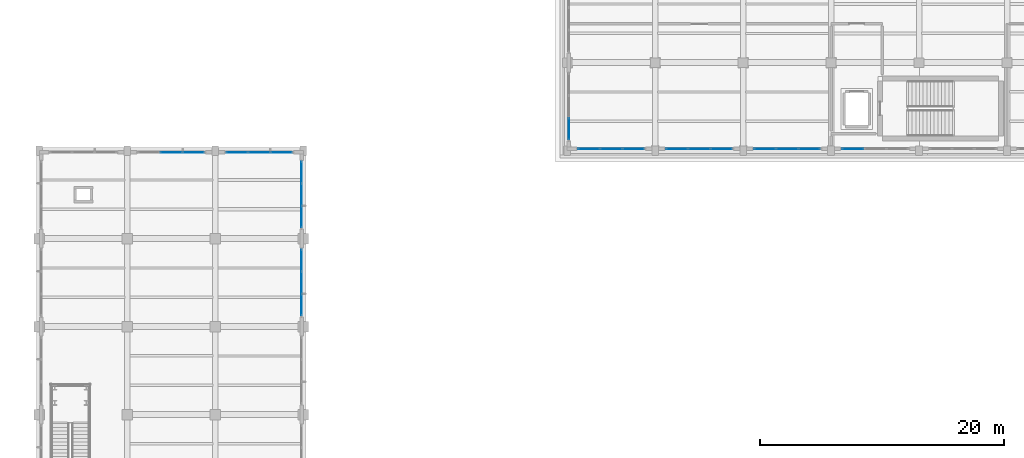
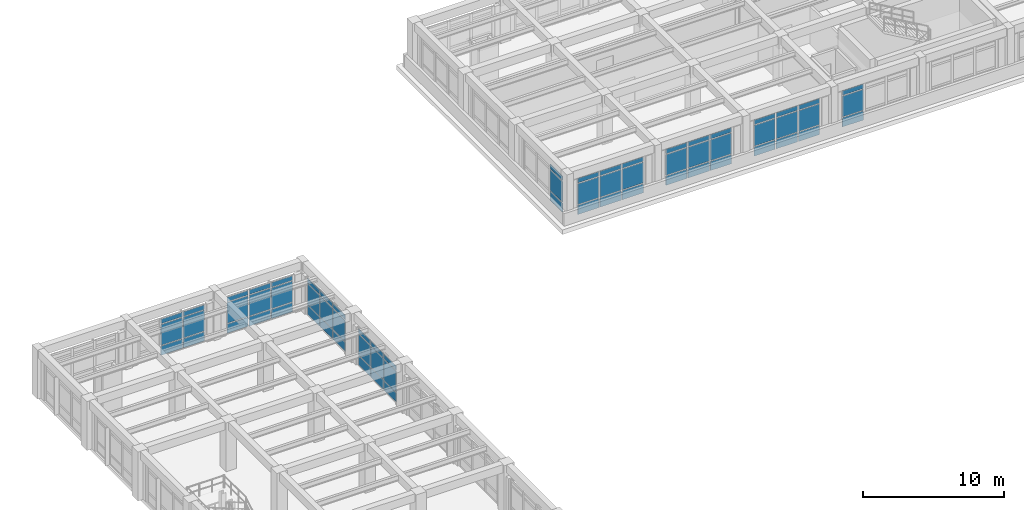
# One storey, part 72 of 98: 66 plates, 9 elements without a shape of their own.
"""IFC4 building model written with IfcOpenShell, lengths in metres."""

from ifc_helpers import new_model, si_unit, direction, frame, origin, origin_2d, place, context, subcontext, project, spatial, rectangle, extrude, material, layer, layer_set, type_object, element, aggregate, save


model = new_model("IFC4")

# Units and contexts
model_context = context("Model", 3, precision=1e-05, world=origin(), true_north=direction((0.0, 1.0)))
body_context = subcontext(model_context, "Body", "Model", "MODEL_VIEW")
ifc_project = project(units=[si_unit("LENGTHUNIT", "METRE"), si_unit("AREAUNIT", "SQUARE_METRE"), si_unit("VOLUMEUNIT", "CUBIC_METRE"), si_unit("PLANEANGLEUNIT", "RADIAN"), si_unit("MASSUNIT", "GRAM", prefix="KILO")], contexts=[model_context])

# Site, building, storey
site_placement = place(None, origin())
site = spatial("IfcSite", under=ifc_project, at=site_placement, CompositionType="ELEMENT")
building_placement = place(site_placement, origin())
building = spatial("IfcBuilding", under=site, at=building_placement, Name="Solenvale Faculty of Natural Sciences", CompositionType="ELEMENT")
storey_placement = place(building_placement, frame((0.0, 0.0, 9.0)))
storey = spatial("IfcBuildingStorey", under=building, at=storey_placement, Name="L02", CompositionType="ELEMENT", Elevation=9.0)

# Curtain wall, plates
ifc_material_1 = material(Name="Anodised bronze aluminium", Category="aluminium")
ifc_layer_1 = layer(ifc_material_1, 0.215087890625)
ifc_layer_set_1 = layer_set([ifc_layer_1], Name="Anodised bronze aluminium")
curtain_wall_type_1 = type_object("IfcCurtainWallType", Name="CW-ATR-UNIT", PredefinedType="USERDEFINED", material=ifc_layer_set_1)
curtain_wall_1_placement = place(storey_placement, origin())
curtain_wall_1 = element("IfcCurtainWall", 1, at=curtain_wall_1_placement, inside=storey, type_object=curtain_wall_type_1, Name="L02 Curtain Wall CW-L02-P1-E7-B6", ObjectType="UNITISED CURTAIN WALL", PredefinedType="USERDEFINED")
ifc_material_2 = material(Name="North-light skylight glass", Category="glass")
ifc_layer_2 = layer(ifc_material_2, 0.028076171875)
ifc_layer_set_2 = layer_set([ifc_layer_2], Name="North-light skylight glass")
plate_type_1 = type_object("IfcPlateType", Name="CWP-PNL-28", PredefinedType="CURTAIN_PANEL", material=ifc_layer_set_2)
plate_1_placement = place(storey_placement, frame((57.45751953125, 80.9853515625, 0.074951171875), z_axis=(0.0, 0.0, 1.0), x_axis=(0.0, 1.0, 0.0)))
plate_1 = element("IfcPlate", 2, at=plate_1_placement, type_object=plate_type_1, Name="CW-01 panel 1.1", PredefinedType="CURTAIN_PANEL", context=body_context, shape_type="SweptSolid", body=[
    extrude(rectangle(XDim=1.720947265625, YDim=0.028076171875, at=origin_2d()), origin(), (0.0, 0.0, 1.0), 0.78759765625),
])
plate_2_placement = place(storey_placement, frame((57.45751953125, 80.9853515625, 0.9375), z_axis=(0.0, 0.0, 1.0), x_axis=(0.0, 1.0, 0.0)))
plate_2 = element("IfcPlate", 3, at=plate_2_placement, type_object=plate_type_1, Name="CW-01 panel 1.2", PredefinedType="CURTAIN_PANEL", context=body_context, shape_type="SweptSolid", body=[
    extrude(rectangle(XDim=1.720947265625, YDim=0.028076171875, at=origin_2d()), origin(), (0.0, 0.0, 1.0), 1.784912109375),
])
plate_3_placement = place(storey_placement, frame((57.45751953125, 80.9853515625, 2.79736328125), z_axis=(0.0, 0.0, 1.0), x_axis=(0.0, 1.0, 0.0)))
plate_3 = element("IfcPlate", 4, at=plate_3_placement, type_object=plate_type_1, Name="CW-01 panel 1.3", PredefinedType="CURTAIN_PANEL", context=body_context, shape_type="SweptSolid", body=[
    extrude(rectangle(XDim=1.720947265625, YDim=0.028076171875, at=origin_2d()), origin(), (0.0, 0.0, 1.0), 0.387451171875),
])
plate_4_placement = place(storey_placement, frame((57.45751953125, 82.800048828125, 0.074951171875), z_axis=(0.0, 0.0, 1.0), x_axis=(0.0, 1.0, 0.0)))
plate_4 = element("IfcPlate", 5, at=plate_4_placement, type_object=plate_type_1, Name="CW-01 panel 2.1", PredefinedType="CURTAIN_PANEL", context=body_context, shape_type="SweptSolid", body=[
    extrude(rectangle(XDim=1.75830078125, YDim=0.028076171875, at=origin_2d()), origin(), (0.0, 0.0, 1.0), 0.78759765625),
])
plate_5_placement = place(storey_placement, frame((57.45751953125, 82.800048828125, 0.9375), z_axis=(0.0, 0.0, 1.0), x_axis=(0.0, 1.0, 0.0)))
plate_5 = element("IfcPlate", 6, at=plate_5_placement, type_object=plate_type_1, Name="CW-01 panel 2.2", PredefinedType="CURTAIN_PANEL", context=body_context, shape_type="SweptSolid", body=[
    extrude(rectangle(XDim=1.75830078125, YDim=0.028076171875, at=origin_2d()), origin(), (0.0, 0.0, 1.0), 1.784912109375),
])
plate_6_placement = place(storey_placement, frame((57.45751953125, 82.800048828125, 2.79736328125), z_axis=(0.0, 0.0, 1.0), x_axis=(0.0, 1.0, 0.0)))
plate_6 = element("IfcPlate", 7, at=plate_6_placement, type_object=plate_type_1, Name="CW-01 panel 2.3", PredefinedType="CURTAIN_PANEL", context=body_context, shape_type="SweptSolid", body=[
    extrude(rectangle(XDim=1.75830078125, YDim=0.028076171875, at=origin_2d()), origin(), (0.0, 0.0, 1.0), 0.387451171875),
])
plate_7_placement = place(storey_placement, frame((57.45751953125, 84.614501953125, 0.074951171875), z_axis=(0.0, 0.0, 1.0), x_axis=(0.0, 1.0, 0.0)))
plate_7 = element("IfcPlate", 8, at=plate_7_placement, type_object=plate_type_1, Name="CW-01 panel 3.1", PredefinedType="CURTAIN_PANEL", context=body_context, shape_type="SweptSolid", body=[
    extrude(rectangle(XDim=1.720947265625, YDim=0.028076171875, at=origin_2d()), origin(), (0.0, 0.0, 1.0), 0.78759765625),
])
plate_8_placement = place(storey_placement, frame((57.45751953125, 84.614501953125, 0.9375), z_axis=(0.0, 0.0, 1.0), x_axis=(0.0, 1.0, 0.0)))
plate_8 = element("IfcPlate", 9, at=plate_8_placement, type_object=plate_type_1, Name="CW-01 panel 3.2", PredefinedType="CURTAIN_PANEL", context=body_context, shape_type="SweptSolid", body=[
    extrude(rectangle(XDim=1.720947265625, YDim=0.028076171875, at=origin_2d()), origin(), (0.0, 0.0, 1.0), 1.784912109375),
])
plate_9_placement = place(storey_placement, frame((57.45751953125, 84.614501953125, 2.79736328125), z_axis=(0.0, 0.0, 1.0), x_axis=(0.0, 1.0, 0.0)))
plate_9 = element("IfcPlate", 10, at=plate_9_placement, type_object=plate_type_1, Name="CW-01 panel 3.3", PredefinedType="CURTAIN_PANEL", context=body_context, shape_type="SweptSolid", body=[
    extrude(rectangle(XDim=1.720947265625, YDim=0.028076171875, at=origin_2d()), origin(), (0.0, 0.0, 1.0), 0.387451171875),
])
aggregate(curtain_wall_1, [plate_1, plate_2, plate_3, plate_4, plate_5, plate_6, plate_7, plate_8, plate_9])

curtain_wall_2_placement = place(storey_placement, origin())
curtain_wall_2 = element("IfcCurtainWall", 11, at=curtain_wall_2_placement, inside=storey, type_object=curtain_wall_type_1, Name="L02 Curtain Wall CW-L02-P1-E7-B7", ObjectType="UNITISED CURTAIN WALL", PredefinedType="USERDEFINED")
ifc_material_3 = material(Name="Triple low-E insulated glass", Category="glass")
ifc_layer_3 = layer(ifc_material_3, 0.031982421875)
ifc_layer_set_3 = layer_set([ifc_layer_3], Name="Triple low-E insulated glass")
plate_type_2 = type_object("IfcPlateType", Name="CWP-PNL-32", PredefinedType="CURTAIN_PANEL", material=ifc_layer_set_3)
plate_10_placement = place(storey_placement, frame((57.45751953125, 88.185302734375, 0.074951171875), z_axis=(0.0, 0.0, 1.0), x_axis=(0.0, 1.0, 0.0)))
plate_10 = element("IfcPlate", 12, at=plate_10_placement, type_object=plate_type_2, Name="CW-01 panel 1.1", PredefinedType="CURTAIN_PANEL", context=body_context, shape_type="SweptSolid", body=[
    extrude(rectangle(XDim=1.720947265625, YDim=0.031982421875, at=origin_2d()), origin(), (0.0, 0.0, 1.0), 0.78759765625),
])
plate_11_placement = place(storey_placement, frame((57.45751953125, 88.185302734375, 0.9375), z_axis=(0.0, 0.0, 1.0), x_axis=(0.0, 1.0, 0.0)))
plate_11 = element("IfcPlate", 13, at=plate_11_placement, type_object=plate_type_2, Name="CW-01 panel 1.2", PredefinedType="CURTAIN_PANEL", context=body_context, shape_type="SweptSolid", body=[
    extrude(rectangle(XDim=1.720947265625, YDim=0.031982421875, at=origin_2d()), origin(), (0.0, 0.0, 1.0), 1.784912109375),
])
plate_12_placement = place(storey_placement, frame((57.45751953125, 88.185302734375, 2.79736328125), z_axis=(0.0, 0.0, 1.0), x_axis=(0.0, 1.0, 0.0)))
plate_12 = element("IfcPlate", 14, at=plate_12_placement, type_object=plate_type_2, Name="CW-01 panel 1.3", PredefinedType="CURTAIN_PANEL", context=body_context, shape_type="SweptSolid", body=[
    extrude(rectangle(XDim=1.720947265625, YDim=0.031982421875, at=origin_2d()), origin(), (0.0, 0.0, 1.0), 0.387451171875),
])
plate_13_placement = place(storey_placement, frame((57.45751953125, 90.0, 0.074951171875), z_axis=(0.0, 0.0, 1.0), x_axis=(0.0, 1.0, 0.0)))
plate_13 = element("IfcPlate", 15, at=plate_13_placement, type_object=plate_type_2, Name="CW-01 panel 2.1", PredefinedType="CURTAIN_PANEL", context=body_context, shape_type="SweptSolid", body=[
    extrude(rectangle(XDim=1.75830078125, YDim=0.031982421875, at=origin_2d()), origin(), (0.0, 0.0, 1.0), 0.78759765625),
])
plate_14_placement = place(storey_placement, frame((57.45751953125, 90.0, 0.9375), z_axis=(0.0, 0.0, 1.0), x_axis=(0.0, 1.0, 0.0)))
plate_14 = element("IfcPlate", 16, at=plate_14_placement, type_object=plate_type_2, Name="CW-01 panel 2.2", PredefinedType="CURTAIN_PANEL", context=body_context, shape_type="SweptSolid", body=[
    extrude(rectangle(XDim=1.75830078125, YDim=0.031982421875, at=origin_2d()), origin(), (0.0, 0.0, 1.0), 1.784912109375),
])
plate_15_placement = place(storey_placement, frame((57.45751953125, 90.0, 2.79736328125), z_axis=(0.0, 0.0, 1.0), x_axis=(0.0, 1.0, 0.0)))
plate_15 = element("IfcPlate", 17, at=plate_15_placement, type_object=plate_type_2, Name="CW-01 panel 2.3", PredefinedType="CURTAIN_PANEL", context=body_context, shape_type="SweptSolid", body=[
    extrude(rectangle(XDim=1.75830078125, YDim=0.031982421875, at=origin_2d()), origin(), (0.0, 0.0, 1.0), 0.387451171875),
])
plate_16_placement = place(storey_placement, frame((57.45751953125, 91.814697265625, 0.074951171875), z_axis=(0.0, 0.0, 1.0), x_axis=(0.0, 1.0, 0.0)))
plate_16 = element("IfcPlate", 18, at=plate_16_placement, type_object=plate_type_2, Name="CW-01 panel 3.1", PredefinedType="CURTAIN_PANEL", context=body_context, shape_type="SweptSolid", body=[
    extrude(rectangle(XDim=1.720947265625, YDim=0.031982421875, at=origin_2d()), origin(), (0.0, 0.0, 1.0), 0.78759765625),
])
plate_17_placement = place(storey_placement, frame((57.45751953125, 91.814697265625, 0.9375), z_axis=(0.0, 0.0, 1.0), x_axis=(0.0, 1.0, 0.0)))
plate_17 = element("IfcPlate", 19, at=plate_17_placement, type_object=plate_type_2, Name="CW-01 panel 3.2", PredefinedType="CURTAIN_PANEL", context=body_context, shape_type="SweptSolid", body=[
    extrude(rectangle(XDim=1.720947265625, YDim=0.031982421875, at=origin_2d()), origin(), (0.0, 0.0, 1.0), 1.784912109375),
])
plate_18_placement = place(storey_placement, frame((57.45751953125, 91.814697265625, 2.79736328125), z_axis=(0.0, 0.0, 1.0), x_axis=(0.0, 1.0, 0.0)))
plate_18 = element("IfcPlate", 20, at=plate_18_placement, type_object=plate_type_2, Name="CW-01 panel 3.3", PredefinedType="CURTAIN_PANEL", context=body_context, shape_type="SweptSolid", body=[
    extrude(rectangle(XDim=1.720947265625, YDim=0.031982421875, at=origin_2d()), origin(), (0.0, 0.0, 1.0), 0.387451171875),
])
aggregate(curtain_wall_2, [plate_10, plate_11, plate_12, plate_13, plate_14, plate_15, plate_16, plate_17, plate_18])

ifc_layer_4 = layer(ifc_material_1, 0.179931640625)
ifc_layer_set_4 = layer_set([ifc_layer_4], Name="Anodised bronze aluminium")
curtain_wall_type_2 = type_object("IfcCurtainWallType", Name="CW-TWR-MOD", PredefinedType="USERDEFINED", material=ifc_layer_set_4)
curtain_wall_3_placement = place(storey_placement, origin())
curtain_wall_3 = element("IfcCurtainWall", 21, at=curtain_wall_3_placement, inside=storey, type_object=curtain_wall_type_2, Name="L02 Curtain Wall CW-L02-P2-E6-B1", ObjectType="UNITISED CURTAIN WALL", PredefinedType="USERDEFINED")
ifc_layer_5 = layer(ifc_material_3, 0.035888671875)
ifc_layer_set_5 = layer_set([ifc_layer_5], Name="Triple low-E insulated glass")
plate_type_3 = type_object("IfcPlateType", Name="CWP-PNL-36", PredefinedType="CURTAIN_PANEL", material=ifc_layer_set_5)
plate_19_placement = place(storey_placement, frame((80.9853515625, 93.742431640625, 0.074951171875), z_axis=(0.0, 0.0, 1.0), x_axis=(1.0, 0.0, 0.0)))
plate_19 = element("IfcPlate", 22, at=plate_19_placement, type_object=plate_type_3, Name="CW-04 panel 1.1", PredefinedType="CURTAIN_PANEL", context=body_context, shape_type="SweptSolid", body=[
    extrude(rectangle(XDim=1.720947265625, YDim=0.035888671875, at=origin_2d()), origin(), (0.0, 0.0, 1.0), 0.78759765625),
])
plate_20_placement = place(storey_placement, frame((80.9853515625, 93.742431640625, 0.9375), z_axis=(0.0, 0.0, 1.0), x_axis=(1.0, 0.0, 0.0)))
plate_20 = element("IfcPlate", 23, at=plate_20_placement, type_object=plate_type_3, Name="CW-04 panel 1.2", PredefinedType="CURTAIN_PANEL", context=body_context, shape_type="SweptSolid", body=[
    extrude(rectangle(XDim=1.720947265625, YDim=0.035888671875, at=origin_2d()), origin(), (0.0, 0.0, 1.0), 1.784912109375),
])
plate_21_placement = place(storey_placement, frame((80.9853515625, 93.742431640625, 2.79736328125), z_axis=(0.0, 0.0, 1.0), x_axis=(1.0, 0.0, 0.0)))
plate_21 = element("IfcPlate", 24, at=plate_21_placement, type_object=plate_type_3, Name="CW-04 panel 1.3", PredefinedType="CURTAIN_PANEL", context=body_context, shape_type="SweptSolid", body=[
    extrude(rectangle(XDim=1.720947265625, YDim=0.035888671875, at=origin_2d()), origin(), (0.0, 0.0, 1.0), 0.387451171875),
])
plate_22_placement = place(storey_placement, frame((82.800048828125, 93.742431640625, 0.074951171875), z_axis=(0.0, 0.0, 1.0), x_axis=(1.0, 0.0, 0.0)))
plate_22 = element("IfcPlate", 25, at=plate_22_placement, type_object=plate_type_3, Name="CW-04 panel 2.1", PredefinedType="CURTAIN_PANEL", context=body_context, shape_type="SweptSolid", body=[
    extrude(rectangle(XDim=1.75830078125, YDim=0.035888671875, at=origin_2d()), origin(), (0.0, 0.0, 1.0), 0.78759765625),
])
plate_23_placement = place(storey_placement, frame((82.800048828125, 93.742431640625, 0.9375), z_axis=(0.0, 0.0, 1.0), x_axis=(1.0, 0.0, 0.0)))
plate_23 = element("IfcPlate", 26, at=plate_23_placement, type_object=plate_type_3, Name="CW-04 panel 2.2", PredefinedType="CURTAIN_PANEL", context=body_context, shape_type="SweptSolid", body=[
    extrude(rectangle(XDim=1.75830078125, YDim=0.035888671875, at=origin_2d()), origin(), (0.0, 0.0, 1.0), 1.784912109375),
])
plate_24_placement = place(storey_placement, frame((82.800048828125, 93.742431640625, 2.79736328125), z_axis=(0.0, 0.0, 1.0), x_axis=(1.0, 0.0, 0.0)))
plate_24 = element("IfcPlate", 27, at=plate_24_placement, type_object=plate_type_3, Name="CW-04 panel 2.3", PredefinedType="CURTAIN_PANEL", context=body_context, shape_type="SweptSolid", body=[
    extrude(rectangle(XDim=1.75830078125, YDim=0.035888671875, at=origin_2d()), origin(), (0.0, 0.0, 1.0), 0.387451171875),
])
plate_25_placement = place(storey_placement, frame((84.614501953125, 93.742431640625, 0.074951171875), z_axis=(0.0, 0.0, 1.0), x_axis=(1.0, 0.0, 0.0)))
plate_25 = element("IfcPlate", 28, at=plate_25_placement, type_object=plate_type_3, Name="CW-04 panel 3.1", PredefinedType="CURTAIN_PANEL", context=body_context, shape_type="SweptSolid", body=[
    extrude(rectangle(XDim=1.720947265625, YDim=0.035888671875, at=origin_2d()), origin(), (0.0, 0.0, 1.0), 0.78759765625),
])
plate_26_placement = place(storey_placement, frame((84.614501953125, 93.742431640625, 0.9375), z_axis=(0.0, 0.0, 1.0), x_axis=(1.0, 0.0, 0.0)))
plate_26 = element("IfcPlate", 29, at=plate_26_placement, type_object=plate_type_3, Name="CW-04 panel 3.2", PredefinedType="CURTAIN_PANEL", context=body_context, shape_type="SweptSolid", body=[
    extrude(rectangle(XDim=1.720947265625, YDim=0.035888671875, at=origin_2d()), origin(), (0.0, 0.0, 1.0), 1.784912109375),
])
plate_27_placement = place(storey_placement, frame((84.614501953125, 93.742431640625, 2.79736328125), z_axis=(0.0, 0.0, 1.0), x_axis=(1.0, 0.0, 0.0)))
plate_27 = element("IfcPlate", 30, at=plate_27_placement, type_object=plate_type_3, Name="CW-04 panel 3.3", PredefinedType="CURTAIN_PANEL", context=body_context, shape_type="SweptSolid", body=[
    extrude(rectangle(XDim=1.720947265625, YDim=0.035888671875, at=origin_2d()), origin(), (0.0, 0.0, 1.0), 0.387451171875),
])
aggregate(curtain_wall_3, [plate_19, plate_20, plate_21, plate_22, plate_23, plate_24, plate_25, plate_26, plate_27])

curtain_wall_4_placement = place(storey_placement, origin())
curtain_wall_4 = element("IfcCurtainWall", 31, at=curtain_wall_4_placement, inside=storey, type_object=curtain_wall_type_2, Name="L02 Curtain Wall CW-L02-P2-E5-B3", ObjectType="UNITISED CURTAIN WALL", PredefinedType="USERDEFINED")
ifc_layer_6 = layer(ifc_material_3, 0.0400390625)
ifc_layer_set_6 = layer_set([ifc_layer_6], Name="Triple low-E insulated glass")
plate_type_4 = type_object("IfcPlateType", Name="CWP-PNL-40", PredefinedType="CURTAIN_PANEL", material=ifc_layer_set_6)
plate_28_placement = place(storey_placement, frame((79.342529296875, 95.385498046875, 0.074951171875), z_axis=(0.0, 0.0, 1.0), x_axis=(0.0, -1.0, 0.0)))
plate_28 = element("IfcPlate", 32, at=plate_28_placement, type_object=plate_type_4, Name="CW-04 panel 3.1", PredefinedType="CURTAIN_PANEL", context=body_context, shape_type="SweptSolid", body=[
    extrude(rectangle(XDim=1.720947265625, YDim=0.0400390625, at=origin_2d()), origin(), (0.0, 0.0, 1.0), 0.78759765625),
])
plate_29_placement = place(storey_placement, frame((79.342529296875, 95.385498046875, 0.9375), z_axis=(0.0, 0.0, 1.0), x_axis=(0.0, -1.0, 0.0)))
plate_29 = element("IfcPlate", 33, at=plate_29_placement, type_object=plate_type_4, Name="CW-04 panel 3.2", PredefinedType="CURTAIN_PANEL", context=body_context, shape_type="SweptSolid", body=[
    extrude(rectangle(XDim=1.720947265625, YDim=0.0400390625, at=origin_2d()), origin(), (0.0, 0.0, 1.0), 1.784912109375),
])
plate_30_placement = place(storey_placement, frame((79.342529296875, 95.385498046875, 2.79736328125), z_axis=(0.0, 0.0, 1.0), x_axis=(0.0, -1.0, 0.0)))
plate_30 = element("IfcPlate", 34, at=plate_30_placement, type_object=plate_type_4, Name="CW-04 panel 3.3", PredefinedType="CURTAIN_PANEL", context=body_context, shape_type="SweptSolid", body=[
    extrude(rectangle(XDim=1.720947265625, YDim=0.0400390625, at=origin_2d()), origin(), (0.0, 0.0, 1.0), 0.387451171875),
])
aggregate(curtain_wall_4, [plate_28, plate_29, plate_30])

curtain_wall_5_placement = place(storey_placement, origin())
curtain_wall_5 = element("IfcCurtainWall", 35, at=curtain_wall_5_placement, inside=storey, type_object=curtain_wall_type_2, Name="L02 Curtain Wall CW-L02-P2-E6-B2", ObjectType="UNITISED CURTAIN WALL", PredefinedType="USERDEFINED")
plate_31_placement = place(storey_placement, frame((88.185302734375, 93.742431640625, 0.074951171875), z_axis=(0.0, 0.0, 1.0), x_axis=(1.0, 0.0, 0.0)))
plate_31 = element("IfcPlate", 36, at=plate_31_placement, type_object=plate_type_4, Name="CW-04 panel 1.1", PredefinedType="CURTAIN_PANEL", context=body_context, shape_type="SweptSolid", body=[
    extrude(rectangle(XDim=1.720947265625, YDim=0.0400390625, at=origin_2d()), origin(), (0.0, 0.0, 1.0), 0.78759765625),
])
plate_32_placement = place(storey_placement, frame((88.185302734375, 93.742431640625, 0.9375), z_axis=(0.0, 0.0, 1.0), x_axis=(1.0, 0.0, 0.0)))
plate_32 = element("IfcPlate", 37, at=plate_32_placement, type_object=plate_type_4, Name="CW-04 panel 1.2", PredefinedType="CURTAIN_PANEL", context=body_context, shape_type="SweptSolid", body=[
    extrude(rectangle(XDim=1.720947265625, YDim=0.0400390625, at=origin_2d()), origin(), (0.0, 0.0, 1.0), 1.784912109375),
])
plate_33_placement = place(storey_placement, frame((88.185302734375, 93.742431640625, 2.79736328125), z_axis=(0.0, 0.0, 1.0), x_axis=(1.0, 0.0, 0.0)))
plate_33 = element("IfcPlate", 38, at=plate_33_placement, type_object=plate_type_4, Name="CW-04 panel 1.3", PredefinedType="CURTAIN_PANEL", context=body_context, shape_type="SweptSolid", body=[
    extrude(rectangle(XDim=1.720947265625, YDim=0.0400390625, at=origin_2d()), origin(), (0.0, 0.0, 1.0), 0.387451171875),
])
plate_34_placement = place(storey_placement, frame((90.0, 93.742431640625, 0.074951171875), z_axis=(0.0, 0.0, 1.0), x_axis=(1.0, 0.0, 0.0)))
plate_34 = element("IfcPlate", 39, at=plate_34_placement, type_object=plate_type_4, Name="CW-04 panel 2.1", PredefinedType="CURTAIN_PANEL", context=body_context, shape_type="SweptSolid", body=[
    extrude(rectangle(XDim=1.75830078125, YDim=0.0400390625, at=origin_2d()), origin(), (0.0, 0.0, 1.0), 0.78759765625),
])
plate_35_placement = place(storey_placement, frame((90.0, 93.742431640625, 0.9375), z_axis=(0.0, 0.0, 1.0), x_axis=(1.0, 0.0, 0.0)))
plate_35 = element("IfcPlate", 40, at=plate_35_placement, type_object=plate_type_4, Name="CW-04 panel 2.2", PredefinedType="CURTAIN_PANEL", context=body_context, shape_type="SweptSolid", body=[
    extrude(rectangle(XDim=1.75830078125, YDim=0.0400390625, at=origin_2d()), origin(), (0.0, 0.0, 1.0), 1.784912109375),
])
plate_36_placement = place(storey_placement, frame((90.0, 93.742431640625, 2.79736328125), z_axis=(0.0, 0.0, 1.0), x_axis=(1.0, 0.0, 0.0)))
plate_36 = element("IfcPlate", 41, at=plate_36_placement, type_object=plate_type_4, Name="CW-04 panel 2.3", PredefinedType="CURTAIN_PANEL", context=body_context, shape_type="SweptSolid", body=[
    extrude(rectangle(XDim=1.75830078125, YDim=0.0400390625, at=origin_2d()), origin(), (0.0, 0.0, 1.0), 0.387451171875),
])
plate_37_placement = place(storey_placement, frame((91.814697265625, 93.742431640625, 0.074951171875), z_axis=(0.0, 0.0, 1.0), x_axis=(1.0, 0.0, 0.0)))
plate_37 = element("IfcPlate", 42, at=plate_37_placement, type_object=plate_type_4, Name="CW-04 panel 3.1", PredefinedType="CURTAIN_PANEL", context=body_context, shape_type="SweptSolid", body=[
    extrude(rectangle(XDim=1.720947265625, YDim=0.0400390625, at=origin_2d()), origin(), (0.0, 0.0, 1.0), 0.78759765625),
])
plate_38_placement = place(storey_placement, frame((91.814697265625, 93.742431640625, 0.9375), z_axis=(0.0, 0.0, 1.0), x_axis=(1.0, 0.0, 0.0)))
plate_38 = element("IfcPlate", 43, at=plate_38_placement, type_object=plate_type_4, Name="CW-04 panel 3.2", PredefinedType="CURTAIN_PANEL", context=body_context, shape_type="SweptSolid", body=[
    extrude(rectangle(XDim=1.720947265625, YDim=0.0400390625, at=origin_2d()), origin(), (0.0, 0.0, 1.0), 1.784912109375),
])
plate_39_placement = place(storey_placement, frame((91.814697265625, 93.742431640625, 2.79736328125), z_axis=(0.0, 0.0, 1.0), x_axis=(1.0, 0.0, 0.0)))
plate_39 = element("IfcPlate", 44, at=plate_39_placement, type_object=plate_type_4, Name="CW-04 panel 3.3", PredefinedType="CURTAIN_PANEL", context=body_context, shape_type="SweptSolid", body=[
    extrude(rectangle(XDim=1.720947265625, YDim=0.0400390625, at=origin_2d()), origin(), (0.0, 0.0, 1.0), 0.387451171875),
])
aggregate(curtain_wall_5, [plate_31, plate_32, plate_33, plate_34, plate_35, plate_36, plate_37, plate_38, plate_39])

curtain_wall_6_placement = place(storey_placement, origin())
curtain_wall_6 = element("IfcCurtainWall", 45, at=curtain_wall_6_placement, inside=storey, type_object=curtain_wall_type_1, Name="L02 Curtain Wall CW-L02-P1-E8-B1", ObjectType="UNITISED CURTAIN WALL", PredefinedType="USERDEFINED")
ifc_layer_7 = layer(ifc_material_3, 0.0439453125)
ifc_layer_set_7 = layer_set([ifc_layer_7], Name="Triple low-E insulated glass")
plate_type_5 = type_object("IfcPlateType", Name="CWP-PNL-44", PredefinedType="CURTAIN_PANEL", material=ifc_layer_set_7)
plate_40_placement = place(storey_placement, frame((55.814697265625, 93.45751953125, 0.074951171875), z_axis=(0.0, 0.0, 1.0), x_axis=(-1.0, 0.0, 0.0)))
plate_40 = element("IfcPlate", 46, at=plate_40_placement, type_object=plate_type_5, Name="CW-01 panel 1.1", PredefinedType="CURTAIN_PANEL", context=body_context, shape_type="SweptSolid", body=[
    extrude(rectangle(XDim=1.720947265625, YDim=0.0439453125, at=origin_2d()), origin(), (0.0, 0.0, 1.0), 0.78759765625),
])
plate_41_placement = place(storey_placement, frame((55.814697265625, 93.45751953125, 0.9375), z_axis=(0.0, 0.0, 1.0), x_axis=(-1.0, 0.0, 0.0)))
plate_41 = element("IfcPlate", 47, at=plate_41_placement, type_object=plate_type_5, Name="CW-01 panel 1.2", PredefinedType="CURTAIN_PANEL", context=body_context, shape_type="SweptSolid", body=[
    extrude(rectangle(XDim=1.720947265625, YDim=0.0439453125, at=origin_2d()), origin(), (0.0, 0.0, 1.0), 1.784912109375),
])
plate_42_placement = place(storey_placement, frame((55.814697265625, 93.45751953125, 2.79736328125), z_axis=(0.0, 0.0, 1.0), x_axis=(-1.0, 0.0, 0.0)))
plate_42 = element("IfcPlate", 48, at=plate_42_placement, type_object=plate_type_5, Name="CW-01 panel 1.3", PredefinedType="CURTAIN_PANEL", context=body_context, shape_type="SweptSolid", body=[
    extrude(rectangle(XDim=1.720947265625, YDim=0.0439453125, at=origin_2d()), origin(), (0.0, 0.0, 1.0), 0.387451171875),
])
plate_43_placement = place(storey_placement, frame((54.0, 93.45751953125, 0.074951171875), z_axis=(0.0, 0.0, 1.0), x_axis=(-1.0, 0.0, 0.0)))
plate_43 = element("IfcPlate", 49, at=plate_43_placement, type_object=plate_type_5, Name="CW-01 panel 2.1", PredefinedType="CURTAIN_PANEL", context=body_context, shape_type="SweptSolid", body=[
    extrude(rectangle(XDim=1.75830078125, YDim=0.0439453125, at=origin_2d()), origin(), (0.0, 0.0, 1.0), 0.78759765625),
])
plate_44_placement = place(storey_placement, frame((54.0, 93.45751953125, 0.9375), z_axis=(0.0, 0.0, 1.0), x_axis=(-1.0, 0.0, 0.0)))
plate_44 = element("IfcPlate", 50, at=plate_44_placement, type_object=plate_type_5, Name="CW-01 panel 2.2", PredefinedType="CURTAIN_PANEL", context=body_context, shape_type="SweptSolid", body=[
    extrude(rectangle(XDim=1.75830078125, YDim=0.0439453125, at=origin_2d()), origin(), (0.0, 0.0, 1.0), 1.784912109375),
])
plate_45_placement = place(storey_placement, frame((54.0, 93.45751953125, 2.79736328125), z_axis=(0.0, 0.0, 1.0), x_axis=(-1.0, 0.0, 0.0)))
plate_45 = element("IfcPlate", 51, at=plate_45_placement, type_object=plate_type_5, Name="CW-01 panel 2.3", PredefinedType="CURTAIN_PANEL", context=body_context, shape_type="SweptSolid", body=[
    extrude(rectangle(XDim=1.75830078125, YDim=0.0439453125, at=origin_2d()), origin(), (0.0, 0.0, 1.0), 0.387451171875),
])
plate_46_placement = place(storey_placement, frame((52.185302734375, 93.45751953125, 0.074951171875), z_axis=(0.0, 0.0, 1.0), x_axis=(-1.0, 0.0, 0.0)))
plate_46 = element("IfcPlate", 52, at=plate_46_placement, type_object=plate_type_5, Name="CW-01 panel 3.1", PredefinedType="CURTAIN_PANEL", context=body_context, shape_type="SweptSolid", body=[
    extrude(rectangle(XDim=1.720947265625, YDim=0.0439453125, at=origin_2d()), origin(), (0.0, 0.0, 1.0), 0.78759765625),
])
plate_47_placement = place(storey_placement, frame((52.185302734375, 93.45751953125, 0.9375), z_axis=(0.0, 0.0, 1.0), x_axis=(-1.0, 0.0, 0.0)))
plate_47 = element("IfcPlate", 53, at=plate_47_placement, type_object=plate_type_5, Name="CW-01 panel 3.2", PredefinedType="CURTAIN_PANEL", context=body_context, shape_type="SweptSolid", body=[
    extrude(rectangle(XDim=1.720947265625, YDim=0.0439453125, at=origin_2d()), origin(), (0.0, 0.0, 1.0), 1.784912109375),
])
plate_48_placement = place(storey_placement, frame((52.185302734375, 93.45751953125, 2.79736328125), z_axis=(0.0, 0.0, 1.0), x_axis=(-1.0, 0.0, 0.0)))
plate_48 = element("IfcPlate", 54, at=plate_48_placement, type_object=plate_type_5, Name="CW-01 panel 3.3", PredefinedType="CURTAIN_PANEL", context=body_context, shape_type="SweptSolid", body=[
    extrude(rectangle(XDim=1.720947265625, YDim=0.0439453125, at=origin_2d()), origin(), (0.0, 0.0, 1.0), 0.387451171875),
])
aggregate(curtain_wall_6, [plate_40, plate_41, plate_42, plate_43, plate_44, plate_45, plate_46, plate_47, plate_48])

curtain_wall_7_placement = place(storey_placement, origin())
curtain_wall_7 = element("IfcCurtainWall", 55, at=curtain_wall_7_placement, inside=storey, type_object=curtain_wall_type_2, Name="L02 Curtain Wall CW-L02-P2-E6-B3", ObjectType="UNITISED CURTAIN WALL", PredefinedType="USERDEFINED")
plate_49_placement = place(storey_placement, frame((95.385498046875, 93.742431640625, 0.074951171875), z_axis=(0.0, 0.0, 1.0), x_axis=(1.0, 0.0, 0.0)))
plate_49 = element("IfcPlate", 56, at=plate_49_placement, type_object=plate_type_5, Name="CW-04 panel 1.1", PredefinedType="CURTAIN_PANEL", context=body_context, shape_type="SweptSolid", body=[
    extrude(rectangle(XDim=1.720947265625, YDim=0.0439453125, at=origin_2d()), origin(), (0.0, 0.0, 1.0), 0.78759765625),
])
plate_50_placement = place(storey_placement, frame((95.385498046875, 93.742431640625, 0.9375), z_axis=(0.0, 0.0, 1.0), x_axis=(1.0, 0.0, 0.0)))
plate_50 = element("IfcPlate", 57, at=plate_50_placement, type_object=plate_type_5, Name="CW-04 panel 1.2", PredefinedType="CURTAIN_PANEL", context=body_context, shape_type="SweptSolid", body=[
    extrude(rectangle(XDim=1.720947265625, YDim=0.0439453125, at=origin_2d()), origin(), (0.0, 0.0, 1.0), 1.784912109375),
])
plate_51_placement = place(storey_placement, frame((95.385498046875, 93.742431640625, 2.79736328125), z_axis=(0.0, 0.0, 1.0), x_axis=(1.0, 0.0, 0.0)))
plate_51 = element("IfcPlate", 58, at=plate_51_placement, type_object=plate_type_5, Name="CW-04 panel 1.3", PredefinedType="CURTAIN_PANEL", context=body_context, shape_type="SweptSolid", body=[
    extrude(rectangle(XDim=1.720947265625, YDim=0.0439453125, at=origin_2d()), origin(), (0.0, 0.0, 1.0), 0.387451171875),
])
plate_52_placement = place(storey_placement, frame((97.199951171875, 93.742431640625, 0.074951171875), z_axis=(0.0, 0.0, 1.0), x_axis=(1.0, 0.0, 0.0)))
plate_52 = element("IfcPlate", 59, at=plate_52_placement, type_object=plate_type_5, Name="CW-04 panel 2.1", PredefinedType="CURTAIN_PANEL", context=body_context, shape_type="SweptSolid", body=[
    extrude(rectangle(XDim=1.75830078125, YDim=0.0439453125, at=origin_2d()), origin(), (0.0, 0.0, 1.0), 0.78759765625),
])
plate_53_placement = place(storey_placement, frame((97.199951171875, 93.742431640625, 0.9375), z_axis=(0.0, 0.0, 1.0), x_axis=(1.0, 0.0, 0.0)))
plate_53 = element("IfcPlate", 60, at=plate_53_placement, type_object=plate_type_5, Name="CW-04 panel 2.2", PredefinedType="CURTAIN_PANEL", context=body_context, shape_type="SweptSolid", body=[
    extrude(rectangle(XDim=1.75830078125, YDim=0.0439453125, at=origin_2d()), origin(), (0.0, 0.0, 1.0), 1.784912109375),
])
plate_54_placement = place(storey_placement, frame((97.199951171875, 93.742431640625, 2.79736328125), z_axis=(0.0, 0.0, 1.0), x_axis=(1.0, 0.0, 0.0)))
plate_54 = element("IfcPlate", 61, at=plate_54_placement, type_object=plate_type_5, Name="CW-04 panel 2.3", PredefinedType="CURTAIN_PANEL", context=body_context, shape_type="SweptSolid", body=[
    extrude(rectangle(XDim=1.75830078125, YDim=0.0439453125, at=origin_2d()), origin(), (0.0, 0.0, 1.0), 0.387451171875),
])
plate_55_placement = place(storey_placement, frame((99.0146484375, 93.742431640625, 0.074951171875), z_axis=(0.0, 0.0, 1.0), x_axis=(1.0, 0.0, 0.0)))
plate_55 = element("IfcPlate", 62, at=plate_55_placement, type_object=plate_type_5, Name="CW-04 panel 3.1", PredefinedType="CURTAIN_PANEL", context=body_context, shape_type="SweptSolid", body=[
    extrude(rectangle(XDim=1.720947265625, YDim=0.0439453125, at=origin_2d()), origin(), (0.0, 0.0, 1.0), 0.78759765625),
])
plate_56_placement = place(storey_placement, frame((99.0146484375, 93.742431640625, 0.9375), z_axis=(0.0, 0.0, 1.0), x_axis=(1.0, 0.0, 0.0)))
plate_56 = element("IfcPlate", 63, at=plate_56_placement, type_object=plate_type_5, Name="CW-04 panel 3.2", PredefinedType="CURTAIN_PANEL", context=body_context, shape_type="SweptSolid", body=[
    extrude(rectangle(XDim=1.720947265625, YDim=0.0439453125, at=origin_2d()), origin(), (0.0, 0.0, 1.0), 1.784912109375),
])
plate_57_placement = place(storey_placement, frame((99.0146484375, 93.742431640625, 2.79736328125), z_axis=(0.0, 0.0, 1.0), x_axis=(1.0, 0.0, 0.0)))
plate_57 = element("IfcPlate", 64, at=plate_57_placement, type_object=plate_type_5, Name="CW-04 panel 3.3", PredefinedType="CURTAIN_PANEL", context=body_context, shape_type="SweptSolid", body=[
    extrude(rectangle(XDim=1.720947265625, YDim=0.0439453125, at=origin_2d()), origin(), (0.0, 0.0, 1.0), 0.387451171875),
])
aggregate(curtain_wall_7, [plate_49, plate_50, plate_51, plate_52, plate_53, plate_54, plate_55, plate_56, plate_57])

curtain_wall_8_placement = place(storey_placement, origin())
curtain_wall_8 = element("IfcCurtainWall", 65, at=curtain_wall_8_placement, inside=storey, type_object=curtain_wall_type_1, Name="L02 Curtain Wall CW-L02-P1-E8-B2", ObjectType="UNITISED CURTAIN WALL", PredefinedType="USERDEFINED")
ifc_layer_8 = layer(ifc_material_1, 0.048095703125)
ifc_layer_set_8 = layer_set([ifc_layer_8], Name="Anodised bronze aluminium")
plate_type_6 = type_object("IfcPlateType", Name="CWP-PNL-48", PredefinedType="CURTAIN_PANEL", material=ifc_layer_set_8)
plate_58_placement = place(storey_placement, frame((48.614501953125, 93.45751953125, 0.074951171875), z_axis=(0.0, 0.0, 1.0), x_axis=(-1.0, 0.0, 0.0)))
plate_58 = element("IfcPlate", 66, at=plate_58_placement, type_object=plate_type_6, Name="CW-01 panel 1.1", PredefinedType="CURTAIN_PANEL", context=body_context, shape_type="SweptSolid", body=[
    extrude(rectangle(XDim=1.720947265625, YDim=0.048095703125, at=origin_2d()), origin(), (0.0, 0.0, 1.0), 0.78759765625),
])
plate_59_placement = place(storey_placement, frame((48.614501953125, 93.45751953125, 0.9375), z_axis=(0.0, 0.0, 1.0), x_axis=(-1.0, 0.0, 0.0)))
plate_59 = element("IfcPlate", 67, at=plate_59_placement, type_object=plate_type_6, Name="CW-01 panel 1.2", PredefinedType="CURTAIN_PANEL", context=body_context, shape_type="SweptSolid", body=[
    extrude(rectangle(XDim=1.720947265625, YDim=0.048095703125, at=origin_2d()), origin(), (0.0, 0.0, 1.0), 1.784912109375),
])
plate_60_placement = place(storey_placement, frame((48.614501953125, 93.45751953125, 2.79736328125), z_axis=(0.0, 0.0, 1.0), x_axis=(-1.0, 0.0, 0.0)))
plate_60 = element("IfcPlate", 68, at=plate_60_placement, type_object=plate_type_6, Name="CW-01 panel 1.3", PredefinedType="CURTAIN_PANEL", context=body_context, shape_type="SweptSolid", body=[
    extrude(rectangle(XDim=1.720947265625, YDim=0.048095703125, at=origin_2d()), origin(), (0.0, 0.0, 1.0), 0.387451171875),
])
plate_61_placement = place(storey_placement, frame((46.800048828125, 93.45751953125, 0.074951171875), z_axis=(0.0, 0.0, 1.0), x_axis=(-1.0, 0.0, 0.0)))
plate_61 = element("IfcPlate", 69, at=plate_61_placement, type_object=plate_type_6, Name="CW-01 panel 2.1", PredefinedType="CURTAIN_PANEL", context=body_context, shape_type="SweptSolid", body=[
    extrude(rectangle(XDim=1.75830078125, YDim=0.048095703125, at=origin_2d()), origin(), (0.0, 0.0, 1.0), 0.78759765625),
])
plate_62_placement = place(storey_placement, frame((46.800048828125, 93.45751953125, 0.9375), z_axis=(0.0, 0.0, 1.0), x_axis=(-1.0, 0.0, 0.0)))
plate_62 = element("IfcPlate", 70, at=plate_62_placement, type_object=plate_type_6, Name="CW-01 panel 2.2", PredefinedType="CURTAIN_PANEL", context=body_context, shape_type="SweptSolid", body=[
    extrude(rectangle(XDim=1.75830078125, YDim=0.048095703125, at=origin_2d()), origin(), (0.0, 0.0, 1.0), 1.784912109375),
])
plate_63_placement = place(storey_placement, frame((46.800048828125, 93.45751953125, 2.79736328125), z_axis=(0.0, 0.0, 1.0), x_axis=(-1.0, 0.0, 0.0)))
plate_63 = element("IfcPlate", 71, at=plate_63_placement, type_object=plate_type_6, Name="CW-01 panel 2.3", PredefinedType="CURTAIN_PANEL", context=body_context, shape_type="SweptSolid", body=[
    extrude(rectangle(XDim=1.75830078125, YDim=0.048095703125, at=origin_2d()), origin(), (0.0, 0.0, 1.0), 0.387451171875),
])
aggregate(curtain_wall_8, [plate_58, plate_59, plate_60, plate_61, plate_62, plate_63])

curtain_wall_9_placement = place(storey_placement, origin())
curtain_wall_9 = element("IfcCurtainWall", 72, at=curtain_wall_9_placement, inside=storey, type_object=curtain_wall_type_2, Name="L02 Curtain Wall CW-L02-P2-E6-B4", ObjectType="UNITISED CURTAIN WALL", PredefinedType="USERDEFINED")
plate_64_placement = place(storey_placement, frame((102.58544921875, 93.742431640625, 0.074951171875), z_axis=(0.0, 0.0, 1.0), x_axis=(1.0, 0.0, 0.0)))
plate_64 = element("IfcPlate", 73, at=plate_64_placement, type_object=plate_type_6, Name="CW-04 panel 1.1", PredefinedType="CURTAIN_PANEL", context=body_context, shape_type="SweptSolid", body=[
    extrude(rectangle(XDim=1.720947265625, YDim=0.048095703125, at=origin_2d()), origin(), (0.0, 0.0, 1.0), 0.78759765625),
])
plate_65_placement = place(storey_placement, frame((102.58544921875, 93.742431640625, 0.9375), z_axis=(0.0, 0.0, 1.0), x_axis=(1.0, 0.0, 0.0)))
plate_65 = element("IfcPlate", 74, at=plate_65_placement, type_object=plate_type_6, Name="CW-04 panel 1.2", PredefinedType="CURTAIN_PANEL", context=body_context, shape_type="SweptSolid", body=[
    extrude(rectangle(XDim=1.720947265625, YDim=0.048095703125, at=origin_2d()), origin(), (0.0, 0.0, 1.0), 1.784912109375),
])
plate_66_placement = place(storey_placement, frame((102.58544921875, 93.742431640625, 2.79736328125), z_axis=(0.0, 0.0, 1.0), x_axis=(1.0, 0.0, 0.0)))
plate_66 = element("IfcPlate", 75, at=plate_66_placement, type_object=plate_type_6, Name="CW-04 panel 1.3", PredefinedType="CURTAIN_PANEL", context=body_context, shape_type="SweptSolid", body=[
    extrude(rectangle(XDim=1.720947265625, YDim=0.048095703125, at=origin_2d()), origin(), (0.0, 0.0, 1.0), 0.387451171875),
])
aggregate(curtain_wall_9, [plate_64, plate_65, plate_66])

save(model, "model.ifc")
